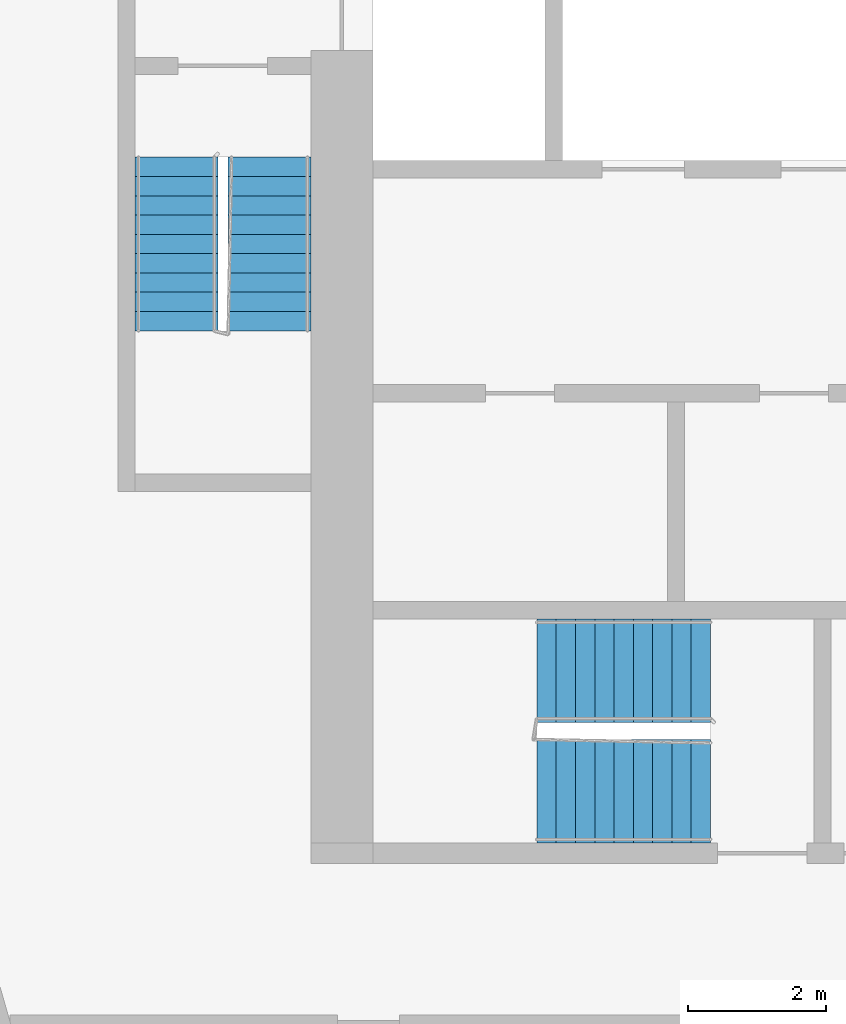
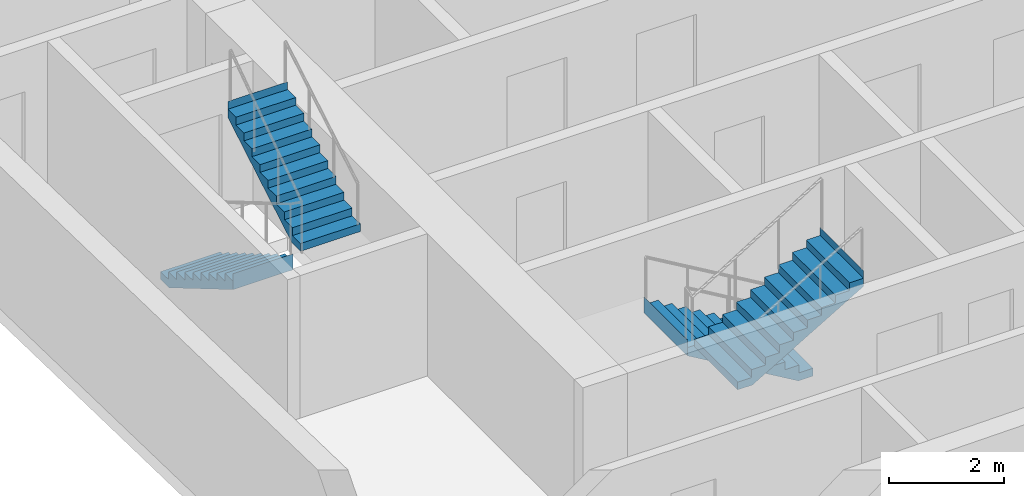
# One storey, part 8 of 11: 4 stair flights, 2 elements without a shape of their own.
"""IFC4 building model written with IfcOpenShell, lengths in metres."""

from ifc_helpers import new_model, si_unit, direction, frame, origin, place, context, subcontext, project, spatial, faceted_brep, material, type_object, element, aggregate, save


model = new_model("IFC4")

# Units and contexts
model_context = context("Model", 3, precision=1e-05, world=origin(), true_north=direction((0.0, 1.0)))
body_context = subcontext(model_context, "Body", "Model", "MODEL_VIEW")
ifc_project = project(units=[si_unit("LENGTHUNIT", "METRE"), si_unit("AREAUNIT", "SQUARE_METRE"), si_unit("VOLUMEUNIT", "CUBIC_METRE"), si_unit("PLANEANGLEUNIT", "RADIAN"), si_unit("MASSUNIT", "GRAM", prefix="KILO")], contexts=[model_context])

# Site, building, storey
site_placement = place(None, origin())
site = spatial("IfcSite", under=ifc_project, at=site_placement, CompositionType="ELEMENT")
building_placement = place(site_placement, origin())
building = spatial("IfcBuilding", under=site, at=building_placement, Name="Kajstack Hotel Tower", CompositionType="ELEMENT")
storey_placement = place(building_placement, frame((0.0, 0.0, 240.800048828125)))
storey = spatial("IfcBuildingStorey", under=building, at=storey_placement, Name="L59", CompositionType="ELEMENT", Elevation=240.800048828125)

# Stair, stair flights
ifc_material = material(Name="Concrete C40/50", Category="concrete")
stair_type_1 = type_object("IfcStairType", Name="Exit stair 1200", PredefinedType="HALF_TURN_STAIR", material=ifc_material)
stair_1_placement = place(storey_placement, origin())
stair_1 = element("IfcStair", 1, at=stair_1_placement, inside=storey, type_object=stair_type_1, Name="L59 stair W1", PredefinedType="HALF_TURN_STAIR")
stair_flight_type_1 = type_object("IfcStairFlightType", Name="Exit stair flight 1200", PredefinedType="STRAIGHT", material=ifc_material)
stair_flight_1_placement = place(storey_placement, frame((-33.449951171875, -5.25, 0.0), z_axis=(0.0, 0.0, 1.0), x_axis=(0.0, -1.0, 0.0)))
stair_flight_1 = element("IfcStairFlight", 2, at=stair_flight_1_placement, type_object=stair_flight_type_1, Name="W1 flight 1", NumberOfRisers=10, NumberOfTreads=9, PredefinedType="STRAIGHT", RiserHeight=0.165, TreadLength=0.28, context=body_context, shape_type="Brep", body=[
    faceted_brep([(0.295654296875, -0.60009765625, 0.0), (2.5205078125, -0.60009765625, 1.31103515625), (2.5205078125, -0.60009765625, 1.64990234375), (2.52001953125, -0.60009765625, 1.64990234375), (2.52001953125, -0.60009765625, 1.485107421875), (2.239990234375, -0.60009765625, 1.485107421875), (2.239990234375, -0.60009765625, 1.320068359375), (1.9599609375, -0.60009765625, 1.320068359375), (1.9599609375, -0.60009765625, 1.155029296875), (1.679931640625, -0.60009765625, 1.155029296875), (1.679931640625, -0.60009765625, 0.989990234375), (1.39990234375, -0.60009765625, 0.989990234375), (1.39990234375, -0.60009765625, 0.824951171875), (1.1201171875, -0.60009765625, 0.824951171875), (1.1201171875, -0.60009765625, 0.659912109375), (0.840087890625, -0.60009765625, 0.659912109375), (0.840087890625, -0.60009765625, 0.4951171875), (0.56005859375, -0.60009765625, 0.4951171875), (0.56005859375, -0.60009765625, 0.330078125), (0.280029296875, -0.60009765625, 0.330078125), (0.280029296875, -0.60009765625, 0.1650390625), (-0.00048828125, -0.60009765625, 0.1650390625), (-0.00048828125, -0.60009765625, 0.0), (-0.00048828125, 0.60009765625, 0.0), (-0.00048828125, 0.60009765625, 0.1650390625), (0.280029296875, 0.60009765625, 0.1650390625), (0.280029296875, 0.60009765625, 0.330078125), (0.56005859375, 0.60009765625, 0.330078125), (0.56005859375, 0.60009765625, 0.4951171875), (0.840087890625, 0.60009765625, 0.4951171875), (0.840087890625, 0.60009765625, 0.659912109375), (1.1201171875, 0.60009765625, 0.659912109375), (1.1201171875, 0.60009765625, 0.824951171875), (1.39990234375, 0.60009765625, 0.824951171875), (1.39990234375, 0.60009765625, 0.989990234375), (1.679931640625, 0.60009765625, 0.989990234375), (1.679931640625, 0.60009765625, 1.155029296875), (1.9599609375, 0.60009765625, 1.155029296875), (1.9599609375, 0.60009765625, 1.320068359375), (2.239990234375, 0.60009765625, 1.320068359375), (2.239990234375, 0.60009765625, 1.485107421875), (2.52001953125, 0.60009765625, 1.485107421875), (2.52001953125, 0.60009765625, 1.64990234375), (2.5205078125, 0.60009765625, 1.64990234375), (2.5205078125, 0.60009765625, 1.31103515625), (0.295654296875, 0.60009765625, 0.0), (-0.00048828125, -0.300048828125, 0.1650390625), (-0.00048828125, 0.0, 0.1650390625), (-0.00048828125, 0.300048828125, 0.1650390625), (-0.00048828125, 0.300048828125, 0.0), (-0.00048828125, 0.0, 0.0), (-0.00048828125, -0.300048828125, 0.0), (0.280029296875, -0.300048828125, 0.1650390625), (0.280029296875, 0.0, 0.1650390625), (0.280029296875, 0.300048828125, 0.1650390625), (0.280029296875, -0.300048828125, 0.330078125), (0.280029296875, 0.0, 0.330078125), (0.280029296875, 0.300048828125, 0.330078125), (0.56005859375, -0.300048828125, 0.330078125), (0.56005859375, 0.0, 0.330078125), (0.56005859375, 0.300048828125, 0.330078125), (0.56005859375, -0.300048828125, 0.4951171875), (0.56005859375, 0.0, 0.4951171875), (0.56005859375, 0.300048828125, 0.4951171875), (0.840087890625, -0.300048828125, 0.4951171875), (0.840087890625, 0.0, 0.4951171875), (0.840087890625, 0.300048828125, 0.4951171875), (0.840087890625, -0.300048828125, 0.659912109375), (0.840087890625, 0.0, 0.659912109375), (0.840087890625, 0.300048828125, 0.659912109375), (1.1201171875, -0.300048828125, 0.659912109375), (1.1201171875, 0.0, 0.659912109375), (1.1201171875, 0.300048828125, 0.659912109375), (1.1201171875, -0.300048828125, 0.824951171875), (1.1201171875, 0.0, 0.824951171875), (1.1201171875, 0.300048828125, 0.824951171875), (1.39990234375, -0.300048828125, 0.824951171875), (1.39990234375, 0.0, 0.824951171875), (1.39990234375, 0.300048828125, 0.824951171875), (1.39990234375, -0.300048828125, 0.989990234375), (1.39990234375, 0.0, 0.989990234375), (1.39990234375, 0.300048828125, 0.989990234375), (1.679931640625, -0.300048828125, 0.989990234375), (1.679931640625, 0.0, 0.989990234375), (1.679931640625, 0.300048828125, 0.989990234375), (1.679931640625, -0.300048828125, 1.155029296875), (1.679931640625, 0.0, 1.155029296875), (1.679931640625, 0.300048828125, 1.155029296875), (1.9599609375, -0.300048828125, 1.155029296875), (1.9599609375, 0.0, 1.155029296875), (1.9599609375, 0.300048828125, 1.155029296875), (1.9599609375, -0.300048828125, 1.320068359375), (1.9599609375, 0.0, 1.320068359375), (1.9599609375, 0.300048828125, 1.320068359375), (2.239990234375, -0.300048828125, 1.320068359375), (2.239990234375, 0.0, 1.320068359375), (2.239990234375, 0.300048828125, 1.320068359375), (2.239990234375, -0.300048828125, 1.485107421875), (2.239990234375, 0.0, 1.485107421875), (2.239990234375, 0.300048828125, 1.485107421875), (2.52001953125, -0.300048828125, 1.485107421875), (2.52001953125, 0.0, 1.485107421875), (2.52001953125, 0.300048828125, 1.485107421875), (2.52001953125, -0.300048828125, 1.64990234375), (2.52001953125, 0.0, 1.64990234375), (2.52001953125, 0.300048828125, 1.64990234375), (2.5205078125, -0.300048828125, 1.64990234375), (2.5205078125, 0.0, 1.64990234375), (2.5205078125, 0.300048828125, 1.64990234375), (2.5205078125, -0.300048828125, 1.31103515625), (2.5205078125, 0.0, 1.31103515625), (2.5205078125, 0.300048828125, 1.31103515625), (0.295654296875, -0.300048828125, 0.0), (0.295654296875, 0.0, 0.0), (0.295654296875, 0.300048828125, 0.0)], [[[0, 1, 2, 3, 4, 5, 6, 7, 8, 9, 10, 11, 12, 13, 14, 15, 16, 17, 18, 19, 20, 21, 22]], [[23, 24, 25, 26, 27, 28, 29, 30, 31, 32, 33, 34, 35, 36, 37, 38, 39, 40, 41, 42, 43, 44, 45]], [[21, 46, 47, 48, 24, 23, 49, 50, 51, 22]], [[20, 52, 53, 54, 25, 24, 48, 47, 46, 21]], [[19, 55, 56, 57, 26, 25, 54, 53, 52, 20]], [[18, 58, 59, 60, 27, 26, 57, 56, 55, 19]], [[17, 61, 62, 63, 28, 27, 60, 59, 58, 18]], [[16, 64, 65, 66, 29, 28, 63, 62, 61, 17]], [[15, 67, 68, 69, 30, 29, 66, 65, 64, 16]], [[14, 70, 71, 72, 31, 30, 69, 68, 67, 15]], [[13, 73, 74, 75, 32, 31, 72, 71, 70, 14]], [[12, 76, 77, 78, 33, 32, 75, 74, 73, 13]], [[11, 79, 80, 81, 34, 33, 78, 77, 76, 12]], [[10, 82, 83, 84, 35, 34, 81, 80, 79, 11]], [[9, 85, 86, 87, 36, 35, 84, 83, 82, 10]], [[8, 88, 89, 90, 37, 36, 87, 86, 85, 9]], [[7, 91, 92, 93, 38, 37, 90, 89, 88, 8]], [[6, 94, 95, 96, 39, 38, 93, 92, 91, 7]], [[5, 97, 98, 99, 40, 39, 96, 95, 94, 6]], [[4, 100, 101, 102, 41, 40, 99, 98, 97, 5]], [[3, 103, 104, 105, 42, 41, 102, 101, 100, 4]], [[2, 106, 107, 108, 43, 42, 105, 104, 103, 3]], [[1, 109, 110, 111, 44, 43, 108, 107, 106, 2]], [[0, 112, 113, 114, 45, 44, 111, 110, 109, 1]], [[22, 51, 50, 49, 23, 45, 114, 113, 112, 0]]]),
])
stair_flight_2_placement = place(storey_placement, frame((-32.10009765625, -7.77001953125, 1.64990234375), z_axis=(0.0, 0.0, 1.0), x_axis=(0.0, 1.0, 0.0)))
stair_flight_2 = element("IfcStairFlight", 3, at=stair_flight_2_placement, type_object=stair_flight_type_1, Name="W1 flight 2", NumberOfRisers=10, NumberOfTreads=9, PredefinedType="STRAIGHT", RiserHeight=0.165, TreadLength=0.28, context=body_context, shape_type="Brep", body=[
    faceted_brep([(0.295654296875, -0.60009765625, 0.0), (2.5205078125, -0.60009765625, 1.31103515625), (2.5205078125, -0.60009765625, 1.64990234375), (2.52001953125, -0.60009765625, 1.64990234375), (2.52001953125, -0.60009765625, 1.485107421875), (2.239990234375, -0.60009765625, 1.485107421875), (2.239990234375, -0.60009765625, 1.320068359375), (1.9599609375, -0.60009765625, 1.320068359375), (1.9599609375, -0.60009765625, 1.155029296875), (1.679931640625, -0.60009765625, 1.155029296875), (1.679931640625, -0.60009765625, 0.989990234375), (1.39990234375, -0.60009765625, 0.989990234375), (1.39990234375, -0.60009765625, 0.824951171875), (1.1201171875, -0.60009765625, 0.824951171875), (1.1201171875, -0.60009765625, 0.659912109375), (0.840087890625, -0.60009765625, 0.659912109375), (0.840087890625, -0.60009765625, 0.4951171875), (0.56005859375, -0.60009765625, 0.4951171875), (0.56005859375, -0.60009765625, 0.330078125), (0.280029296875, -0.60009765625, 0.330078125), (0.280029296875, -0.60009765625, 0.1650390625), (-0.00048828125, -0.60009765625, 0.1650390625), (-0.00048828125, -0.60009765625, 0.0), (-0.00048828125, 0.60009765625, 0.0), (-0.00048828125, 0.60009765625, 0.1650390625), (0.280029296875, 0.60009765625, 0.1650390625), (0.280029296875, 0.60009765625, 0.330078125), (0.56005859375, 0.60009765625, 0.330078125), (0.56005859375, 0.60009765625, 0.4951171875), (0.840087890625, 0.60009765625, 0.4951171875), (0.840087890625, 0.60009765625, 0.659912109375), (1.1201171875, 0.60009765625, 0.659912109375), (1.1201171875, 0.60009765625, 0.824951171875), (1.39990234375, 0.60009765625, 0.824951171875), (1.39990234375, 0.60009765625, 0.989990234375), (1.679931640625, 0.60009765625, 0.989990234375), (1.679931640625, 0.60009765625, 1.155029296875), (1.9599609375, 0.60009765625, 1.155029296875), (1.9599609375, 0.60009765625, 1.320068359375), (2.239990234375, 0.60009765625, 1.320068359375), (2.239990234375, 0.60009765625, 1.485107421875), (2.52001953125, 0.60009765625, 1.485107421875), (2.52001953125, 0.60009765625, 1.64990234375), (2.5205078125, 0.60009765625, 1.64990234375), (2.5205078125, 0.60009765625, 1.31103515625), (0.295654296875, 0.60009765625, 0.0), (-0.00048828125, -0.300048828125, 0.1650390625), (-0.00048828125, 0.0, 0.1650390625), (-0.00048828125, 0.300048828125, 0.1650390625), (-0.00048828125, 0.300048828125, 0.0), (-0.00048828125, 0.0, 0.0), (-0.00048828125, -0.300048828125, 0.0), (0.280029296875, -0.300048828125, 0.1650390625), (0.280029296875, 0.0, 0.1650390625), (0.280029296875, 0.300048828125, 0.1650390625), (0.280029296875, -0.300048828125, 0.330078125), (0.280029296875, 0.0, 0.330078125), (0.280029296875, 0.300048828125, 0.330078125), (0.56005859375, -0.300048828125, 0.330078125), (0.56005859375, 0.0, 0.330078125), (0.56005859375, 0.300048828125, 0.330078125), (0.56005859375, -0.300048828125, 0.4951171875), (0.56005859375, 0.0, 0.4951171875), (0.56005859375, 0.300048828125, 0.4951171875), (0.840087890625, -0.300048828125, 0.4951171875), (0.840087890625, 0.0, 0.4951171875), (0.840087890625, 0.300048828125, 0.4951171875), (0.840087890625, -0.300048828125, 0.659912109375), (0.840087890625, 0.0, 0.659912109375), (0.840087890625, 0.300048828125, 0.659912109375), (1.1201171875, -0.300048828125, 0.659912109375), (1.1201171875, 0.0, 0.659912109375), (1.1201171875, 0.300048828125, 0.659912109375), (1.1201171875, -0.300048828125, 0.824951171875), (1.1201171875, 0.0, 0.824951171875), (1.1201171875, 0.300048828125, 0.824951171875), (1.39990234375, -0.300048828125, 0.824951171875), (1.39990234375, 0.0, 0.824951171875), (1.39990234375, 0.300048828125, 0.824951171875), (1.39990234375, -0.300048828125, 0.989990234375), (1.39990234375, 0.0, 0.989990234375), (1.39990234375, 0.300048828125, 0.989990234375), (1.679931640625, -0.300048828125, 0.989990234375), (1.679931640625, 0.0, 0.989990234375), (1.679931640625, 0.300048828125, 0.989990234375), (1.679931640625, -0.300048828125, 1.155029296875), (1.679931640625, 0.0, 1.155029296875), (1.679931640625, 0.300048828125, 1.155029296875), (1.9599609375, -0.300048828125, 1.155029296875), (1.9599609375, 0.0, 1.155029296875), (1.9599609375, 0.300048828125, 1.155029296875), (1.9599609375, -0.300048828125, 1.320068359375), (1.9599609375, 0.0, 1.320068359375), (1.9599609375, 0.300048828125, 1.320068359375), (2.239990234375, -0.300048828125, 1.320068359375), (2.239990234375, 0.0, 1.320068359375), (2.239990234375, 0.300048828125, 1.320068359375), (2.239990234375, -0.300048828125, 1.485107421875), (2.239990234375, 0.0, 1.485107421875), (2.239990234375, 0.300048828125, 1.485107421875), (2.52001953125, -0.300048828125, 1.485107421875), (2.52001953125, 0.0, 1.485107421875), (2.52001953125, 0.300048828125, 1.485107421875), (2.52001953125, -0.300048828125, 1.64990234375), (2.52001953125, 0.0, 1.64990234375), (2.52001953125, 0.300048828125, 1.64990234375), (2.5205078125, -0.300048828125, 1.64990234375), (2.5205078125, 0.0, 1.64990234375), (2.5205078125, 0.300048828125, 1.64990234375), (2.5205078125, -0.300048828125, 1.31103515625), (2.5205078125, 0.0, 1.31103515625), (2.5205078125, 0.300048828125, 1.31103515625), (0.295654296875, -0.300048828125, 0.0), (0.295654296875, 0.0, 0.0), (0.295654296875, 0.300048828125, 0.0)], [[[0, 1, 2, 3, 4, 5, 6, 7, 8, 9, 10, 11, 12, 13, 14, 15, 16, 17, 18, 19, 20, 21, 22]], [[23, 24, 25, 26, 27, 28, 29, 30, 31, 32, 33, 34, 35, 36, 37, 38, 39, 40, 41, 42, 43, 44, 45]], [[21, 46, 47, 48, 24, 23, 49, 50, 51, 22]], [[20, 52, 53, 54, 25, 24, 48, 47, 46, 21]], [[19, 55, 56, 57, 26, 25, 54, 53, 52, 20]], [[18, 58, 59, 60, 27, 26, 57, 56, 55, 19]], [[17, 61, 62, 63, 28, 27, 60, 59, 58, 18]], [[16, 64, 65, 66, 29, 28, 63, 62, 61, 17]], [[15, 67, 68, 69, 30, 29, 66, 65, 64, 16]], [[14, 70, 71, 72, 31, 30, 69, 68, 67, 15]], [[13, 73, 74, 75, 32, 31, 72, 71, 70, 14]], [[12, 76, 77, 78, 33, 32, 75, 74, 73, 13]], [[11, 79, 80, 81, 34, 33, 78, 77, 76, 12]], [[10, 82, 83, 84, 35, 34, 81, 80, 79, 11]], [[9, 85, 86, 87, 36, 35, 84, 83, 82, 10]], [[8, 88, 89, 90, 37, 36, 87, 86, 85, 9]], [[7, 91, 92, 93, 38, 37, 90, 89, 88, 8]], [[6, 94, 95, 96, 39, 38, 93, 92, 91, 7]], [[5, 97, 98, 99, 40, 39, 96, 95, 94, 6]], [[4, 100, 101, 102, 41, 40, 99, 98, 97, 5]], [[3, 103, 104, 105, 42, 41, 102, 101, 100, 4]], [[2, 106, 107, 108, 43, 42, 105, 104, 103, 3]], [[1, 109, 110, 111, 44, 43, 108, 107, 106, 2]], [[0, 112, 113, 114, 45, 44, 111, 110, 109, 1]], [[22, 51, 50, 49, 23, 45, 114, 113, 112, 0]]]),
])
aggregate(stair_1, [stair_flight_1, stair_flight_2])

stair_type_2 = type_object("IfcStairType", Name="Exit stair 1500", PredefinedType="HALF_TURN_STAIR", material=ifc_material)
stair_2_placement = place(storey_placement, origin())
stair_2 = element("IfcStair", 4, at=stair_2_placement, inside=storey, type_object=stair_type_2, Name="L59 stair W3", PredefinedType="HALF_TURN_STAIR")
stair_flight_type_2 = type_object("IfcStairFlightType", Name="Exit stair flight 1500", PredefinedType="STRAIGHT", material=ifc_material)
stair_flight_3_placement = place(storey_placement, frame((-25.699951171875, -12.699951171875, 0.0), z_axis=(0.0, 0.0, 1.0), x_axis=(-1.0, 0.0, 0.0)))
stair_flight_3 = element("IfcStairFlight", 5, at=stair_flight_3_placement, type_object=stair_flight_type_2, Name="W3 flight 1", NumberOfRisers=10, NumberOfTreads=9, PredefinedType="STRAIGHT", RiserHeight=0.165, TreadLength=0.28, context=body_context, shape_type="Brep", body=[
    faceted_brep([(0.295654296875, -0.75, 0.0), (2.5205078125, -0.75, 1.31103515625), (2.5205078125, -0.75, 1.64990234375), (2.52001953125, -0.75, 1.64990234375), (2.52001953125, -0.75, 1.485107421875), (2.239990234375, -0.75, 1.485107421875), (2.239990234375, -0.75, 1.320068359375), (1.9599609375, -0.75, 1.320068359375), (1.9599609375, -0.75, 1.155029296875), (1.679931640625, -0.75, 1.155029296875), (1.679931640625, -0.75, 0.989990234375), (1.39990234375, -0.75, 0.989990234375), (1.39990234375, -0.75, 0.824951171875), (1.1201171875, -0.75, 0.824951171875), (1.1201171875, -0.75, 0.659912109375), (0.840087890625, -0.75, 0.659912109375), (0.840087890625, -0.75, 0.4951171875), (0.56005859375, -0.75, 0.4951171875), (0.56005859375, -0.75, 0.330078125), (0.280029296875, -0.75, 0.330078125), (0.280029296875, -0.75, 0.1650390625), (-0.00048828125, -0.75, 0.1650390625), (-0.00048828125, -0.75, 0.0), (-0.00048828125, 0.75, 0.0), (-0.00048828125, 0.75, 0.1650390625), (0.280029296875, 0.75, 0.1650390625), (0.280029296875, 0.75, 0.330078125), (0.56005859375, 0.75, 0.330078125), (0.56005859375, 0.75, 0.4951171875), (0.840087890625, 0.75, 0.4951171875), (0.840087890625, 0.75, 0.659912109375), (1.1201171875, 0.75, 0.659912109375), (1.1201171875, 0.75, 0.824951171875), (1.39990234375, 0.75, 0.824951171875), (1.39990234375, 0.75, 0.989990234375), (1.679931640625, 0.75, 0.989990234375), (1.679931640625, 0.75, 1.155029296875), (1.9599609375, 0.75, 1.155029296875), (1.9599609375, 0.75, 1.320068359375), (2.239990234375, 0.75, 1.320068359375), (2.239990234375, 0.75, 1.485107421875), (2.52001953125, 0.75, 1.485107421875), (2.52001953125, 0.75, 1.64990234375), (2.5205078125, 0.75, 1.64990234375), (2.5205078125, 0.75, 1.31103515625), (0.295654296875, 0.75, 0.0), (-0.00048828125, -0.375, 0.1650390625), (-0.00048828125, 0.0, 0.1650390625), (-0.00048828125, 0.375, 0.1650390625), (-0.00048828125, 0.375, 0.0), (-0.00048828125, 0.0, 0.0), (-0.00048828125, -0.375, 0.0), (0.280029296875, -0.375, 0.1650390625), (0.280029296875, 0.0, 0.1650390625), (0.280029296875, 0.375, 0.1650390625), (0.280029296875, -0.375, 0.330078125), (0.280029296875, 0.0, 0.330078125), (0.280029296875, 0.375, 0.330078125), (0.56005859375, -0.375, 0.330078125), (0.56005859375, 0.0, 0.330078125), (0.56005859375, 0.375, 0.330078125), (0.56005859375, -0.375, 0.4951171875), (0.56005859375, 0.0, 0.4951171875), (0.56005859375, 0.375, 0.4951171875), (0.840087890625, -0.375, 0.4951171875), (0.840087890625, 0.0, 0.4951171875), (0.840087890625, 0.375, 0.4951171875), (0.840087890625, -0.375, 0.659912109375), (0.840087890625, 0.0, 0.659912109375), (0.840087890625, 0.375, 0.659912109375), (1.1201171875, -0.375, 0.659912109375), (1.1201171875, 0.0, 0.659912109375), (1.1201171875, 0.375, 0.659912109375), (1.1201171875, -0.375, 0.824951171875), (1.1201171875, 0.0, 0.824951171875), (1.1201171875, 0.375, 0.824951171875), (1.39990234375, -0.375, 0.824951171875), (1.39990234375, 0.0, 0.824951171875), (1.39990234375, 0.375, 0.824951171875), (1.39990234375, -0.375, 0.989990234375), (1.39990234375, 0.0, 0.989990234375), (1.39990234375, 0.375, 0.989990234375), (1.679931640625, -0.375, 0.989990234375), (1.679931640625, 0.0, 0.989990234375), (1.679931640625, 0.375, 0.989990234375), (1.679931640625, -0.375, 1.155029296875), (1.679931640625, 0.0, 1.155029296875), (1.679931640625, 0.375, 1.155029296875), (1.9599609375, -0.375, 1.155029296875), (1.9599609375, 0.0, 1.155029296875), (1.9599609375, 0.375, 1.155029296875), (1.9599609375, -0.375, 1.320068359375), (1.9599609375, 0.0, 1.320068359375), (1.9599609375, 0.375, 1.320068359375), (2.239990234375, -0.375, 1.320068359375), (2.239990234375, 0.0, 1.320068359375), (2.239990234375, 0.375, 1.320068359375), (2.239990234375, -0.375, 1.485107421875), (2.239990234375, 0.0, 1.485107421875), (2.239990234375, 0.375, 1.485107421875), (2.52001953125, -0.375, 1.485107421875), (2.52001953125, 0.0, 1.485107421875), (2.52001953125, 0.375, 1.485107421875), (2.52001953125, -0.375, 1.64990234375), (2.52001953125, 0.0, 1.64990234375), (2.52001953125, 0.375, 1.64990234375), (2.5205078125, -0.375, 1.64990234375), (2.5205078125, 0.0, 1.64990234375), (2.5205078125, 0.375, 1.64990234375), (2.5205078125, -0.375, 1.31103515625), (2.5205078125, 0.0, 1.31103515625), (2.5205078125, 0.375, 1.31103515625), (0.295654296875, -0.375, 0.0), (0.295654296875, 0.0, 0.0), (0.295654296875, 0.375, 0.0)], [[[0, 1, 2, 3, 4, 5, 6, 7, 8, 9, 10, 11, 12, 13, 14, 15, 16, 17, 18, 19, 20, 21, 22]], [[23, 24, 25, 26, 27, 28, 29, 30, 31, 32, 33, 34, 35, 36, 37, 38, 39, 40, 41, 42, 43, 44, 45]], [[21, 46, 47, 48, 24, 23, 49, 50, 51, 22]], [[20, 52, 53, 54, 25, 24, 48, 47, 46, 21]], [[19, 55, 56, 57, 26, 25, 54, 53, 52, 20]], [[18, 58, 59, 60, 27, 26, 57, 56, 55, 19]], [[17, 61, 62, 63, 28, 27, 60, 59, 58, 18]], [[16, 64, 65, 66, 29, 28, 63, 62, 61, 17]], [[15, 67, 68, 69, 30, 29, 66, 65, 64, 16]], [[14, 70, 71, 72, 31, 30, 69, 68, 67, 15]], [[13, 73, 74, 75, 32, 31, 72, 71, 70, 14]], [[12, 76, 77, 78, 33, 32, 75, 74, 73, 13]], [[11, 79, 80, 81, 34, 33, 78, 77, 76, 12]], [[10, 82, 83, 84, 35, 34, 81, 80, 79, 11]], [[9, 85, 86, 87, 36, 35, 84, 83, 82, 10]], [[8, 88, 89, 90, 37, 36, 87, 86, 85, 9]], [[7, 91, 92, 93, 38, 37, 90, 89, 88, 8]], [[6, 94, 95, 96, 39, 38, 93, 92, 91, 7]], [[5, 97, 98, 99, 40, 39, 96, 95, 94, 6]], [[4, 100, 101, 102, 41, 40, 99, 98, 97, 5]], [[3, 103, 104, 105, 42, 41, 102, 101, 100, 4]], [[2, 106, 107, 108, 43, 42, 105, 104, 103, 3]], [[1, 109, 110, 111, 44, 43, 108, 107, 106, 2]], [[0, 112, 113, 114, 45, 44, 111, 110, 109, 1]], [[22, 51, 50, 49, 23, 45, 114, 113, 112, 0]]]),
])
stair_flight_4_placement = place(storey_placement, frame((-28.219970703125, -14.449951171875, 1.64990234375), z_axis=(0.0, 0.0, 1.0), x_axis=(1.0, 0.0, 0.0)))
stair_flight_4 = element("IfcStairFlight", 6, at=stair_flight_4_placement, type_object=stair_flight_type_2, Name="W3 flight 2", NumberOfRisers=10, NumberOfTreads=9, PredefinedType="STRAIGHT", RiserHeight=0.165, TreadLength=0.28, context=body_context, shape_type="Brep", body=[
    faceted_brep([(0.295654296875, -0.75, 0.0), (2.5205078125, -0.75, 1.31103515625), (2.5205078125, -0.75, 1.64990234375), (2.52001953125, -0.75, 1.64990234375), (2.52001953125, -0.75, 1.485107421875), (2.239990234375, -0.75, 1.485107421875), (2.239990234375, -0.75, 1.320068359375), (1.9599609375, -0.75, 1.320068359375), (1.9599609375, -0.75, 1.155029296875), (1.679931640625, -0.75, 1.155029296875), (1.679931640625, -0.75, 0.989990234375), (1.39990234375, -0.75, 0.989990234375), (1.39990234375, -0.75, 0.824951171875), (1.1201171875, -0.75, 0.824951171875), (1.1201171875, -0.75, 0.659912109375), (0.840087890625, -0.75, 0.659912109375), (0.840087890625, -0.75, 0.4951171875), (0.56005859375, -0.75, 0.4951171875), (0.56005859375, -0.75, 0.330078125), (0.280029296875, -0.75, 0.330078125), (0.280029296875, -0.75, 0.1650390625), (-0.00048828125, -0.75, 0.1650390625), (-0.00048828125, -0.75, 0.0), (-0.00048828125, 0.75, 0.0), (-0.00048828125, 0.75, 0.1650390625), (0.280029296875, 0.75, 0.1650390625), (0.280029296875, 0.75, 0.330078125), (0.56005859375, 0.75, 0.330078125), (0.56005859375, 0.75, 0.4951171875), (0.840087890625, 0.75, 0.4951171875), (0.840087890625, 0.75, 0.659912109375), (1.1201171875, 0.75, 0.659912109375), (1.1201171875, 0.75, 0.824951171875), (1.39990234375, 0.75, 0.824951171875), (1.39990234375, 0.75, 0.989990234375), (1.679931640625, 0.75, 0.989990234375), (1.679931640625, 0.75, 1.155029296875), (1.9599609375, 0.75, 1.155029296875), (1.9599609375, 0.75, 1.320068359375), (2.239990234375, 0.75, 1.320068359375), (2.239990234375, 0.75, 1.485107421875), (2.52001953125, 0.75, 1.485107421875), (2.52001953125, 0.75, 1.64990234375), (2.5205078125, 0.75, 1.64990234375), (2.5205078125, 0.75, 1.31103515625), (0.295654296875, 0.75, 0.0), (-0.00048828125, -0.375, 0.1650390625), (-0.00048828125, 0.0, 0.1650390625), (-0.00048828125, 0.375, 0.1650390625), (-0.00048828125, 0.375, 0.0), (-0.00048828125, 0.0, 0.0), (-0.00048828125, -0.375, 0.0), (0.280029296875, -0.375, 0.1650390625), (0.280029296875, 0.0, 0.1650390625), (0.280029296875, 0.375, 0.1650390625), (0.280029296875, -0.375, 0.330078125), (0.280029296875, 0.0, 0.330078125), (0.280029296875, 0.375, 0.330078125), (0.56005859375, -0.375, 0.330078125), (0.56005859375, 0.0, 0.330078125), (0.56005859375, 0.375, 0.330078125), (0.56005859375, -0.375, 0.4951171875), (0.56005859375, 0.0, 0.4951171875), (0.56005859375, 0.375, 0.4951171875), (0.840087890625, -0.375, 0.4951171875), (0.840087890625, 0.0, 0.4951171875), (0.840087890625, 0.375, 0.4951171875), (0.840087890625, -0.375, 0.659912109375), (0.840087890625, 0.0, 0.659912109375), (0.840087890625, 0.375, 0.659912109375), (1.1201171875, -0.375, 0.659912109375), (1.1201171875, 0.0, 0.659912109375), (1.1201171875, 0.375, 0.659912109375), (1.1201171875, -0.375, 0.824951171875), (1.1201171875, 0.0, 0.824951171875), (1.1201171875, 0.375, 0.824951171875), (1.39990234375, -0.375, 0.824951171875), (1.39990234375, 0.0, 0.824951171875), (1.39990234375, 0.375, 0.824951171875), (1.39990234375, -0.375, 0.989990234375), (1.39990234375, 0.0, 0.989990234375), (1.39990234375, 0.375, 0.989990234375), (1.679931640625, -0.375, 0.989990234375), (1.679931640625, 0.0, 0.989990234375), (1.679931640625, 0.375, 0.989990234375), (1.679931640625, -0.375, 1.155029296875), (1.679931640625, 0.0, 1.155029296875), (1.679931640625, 0.375, 1.155029296875), (1.9599609375, -0.375, 1.155029296875), (1.9599609375, 0.0, 1.155029296875), (1.9599609375, 0.375, 1.155029296875), (1.9599609375, -0.375, 1.320068359375), (1.9599609375, 0.0, 1.320068359375), (1.9599609375, 0.375, 1.320068359375), (2.239990234375, -0.375, 1.320068359375), (2.239990234375, 0.0, 1.320068359375), (2.239990234375, 0.375, 1.320068359375), (2.239990234375, -0.375, 1.485107421875), (2.239990234375, 0.0, 1.485107421875), (2.239990234375, 0.375, 1.485107421875), (2.52001953125, -0.375, 1.485107421875), (2.52001953125, 0.0, 1.485107421875), (2.52001953125, 0.375, 1.485107421875), (2.52001953125, -0.375, 1.64990234375), (2.52001953125, 0.0, 1.64990234375), (2.52001953125, 0.375, 1.64990234375), (2.5205078125, -0.375, 1.64990234375), (2.5205078125, 0.0, 1.64990234375), (2.5205078125, 0.375, 1.64990234375), (2.5205078125, -0.375, 1.31103515625), (2.5205078125, 0.0, 1.31103515625), (2.5205078125, 0.375, 1.31103515625), (0.295654296875, -0.375, 0.0), (0.295654296875, 0.0, 0.0), (0.295654296875, 0.375, 0.0)], [[[0, 1, 2, 3, 4, 5, 6, 7, 8, 9, 10, 11, 12, 13, 14, 15, 16, 17, 18, 19, 20, 21, 22]], [[23, 24, 25, 26, 27, 28, 29, 30, 31, 32, 33, 34, 35, 36, 37, 38, 39, 40, 41, 42, 43, 44, 45]], [[21, 46, 47, 48, 24, 23, 49, 50, 51, 22]], [[20, 52, 53, 54, 25, 24, 48, 47, 46, 21]], [[19, 55, 56, 57, 26, 25, 54, 53, 52, 20]], [[18, 58, 59, 60, 27, 26, 57, 56, 55, 19]], [[17, 61, 62, 63, 28, 27, 60, 59, 58, 18]], [[16, 64, 65, 66, 29, 28, 63, 62, 61, 17]], [[15, 67, 68, 69, 30, 29, 66, 65, 64, 16]], [[14, 70, 71, 72, 31, 30, 69, 68, 67, 15]], [[13, 73, 74, 75, 32, 31, 72, 71, 70, 14]], [[12, 76, 77, 78, 33, 32, 75, 74, 73, 13]], [[11, 79, 80, 81, 34, 33, 78, 77, 76, 12]], [[10, 82, 83, 84, 35, 34, 81, 80, 79, 11]], [[9, 85, 86, 87, 36, 35, 84, 83, 82, 10]], [[8, 88, 89, 90, 37, 36, 87, 86, 85, 9]], [[7, 91, 92, 93, 38, 37, 90, 89, 88, 8]], [[6, 94, 95, 96, 39, 38, 93, 92, 91, 7]], [[5, 97, 98, 99, 40, 39, 96, 95, 94, 6]], [[4, 100, 101, 102, 41, 40, 99, 98, 97, 5]], [[3, 103, 104, 105, 42, 41, 102, 101, 100, 4]], [[2, 106, 107, 108, 43, 42, 105, 104, 103, 3]], [[1, 109, 110, 111, 44, 43, 108, 107, 106, 2]], [[0, 112, 113, 114, 45, 44, 111, 110, 109, 1]], [[22, 51, 50, 49, 23, 45, 114, 113, 112, 0]]]),
])
aggregate(stair_2, [stair_flight_3, stair_flight_4])

save(model, "model.ifc")
